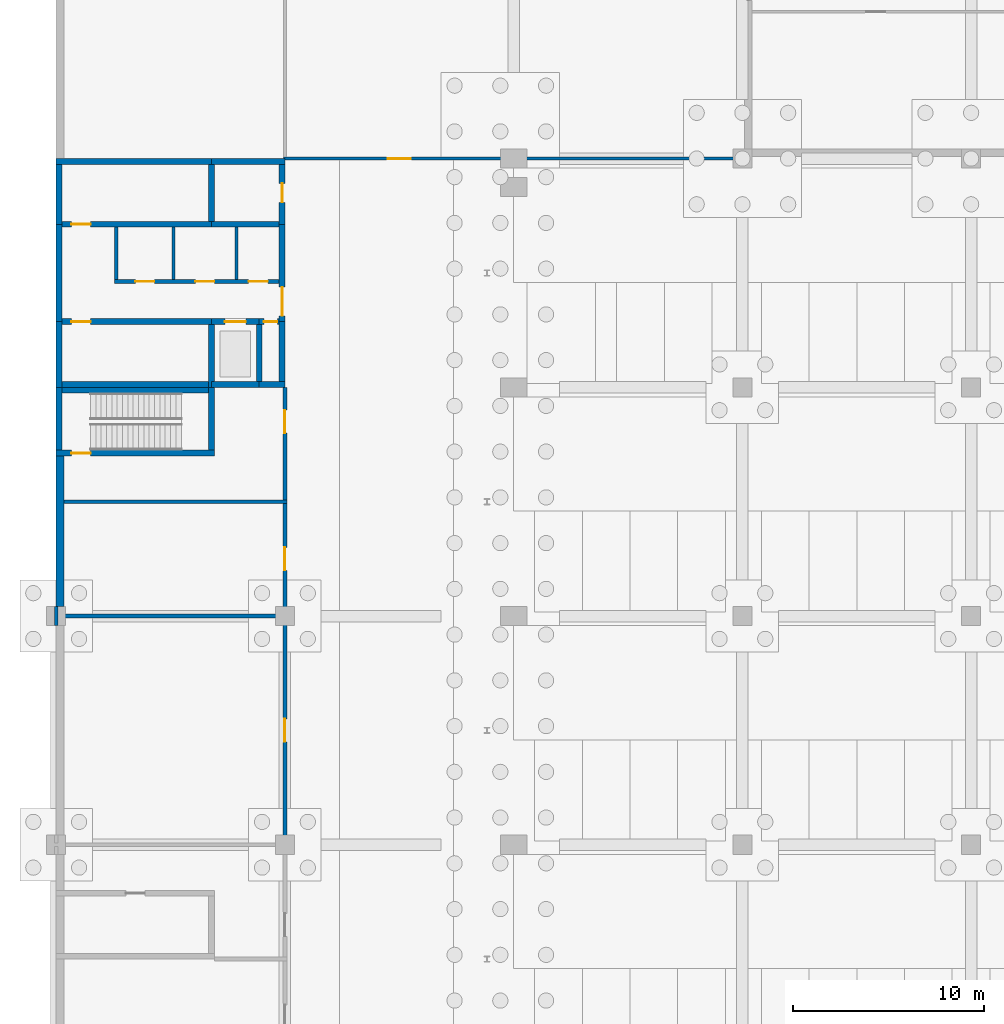
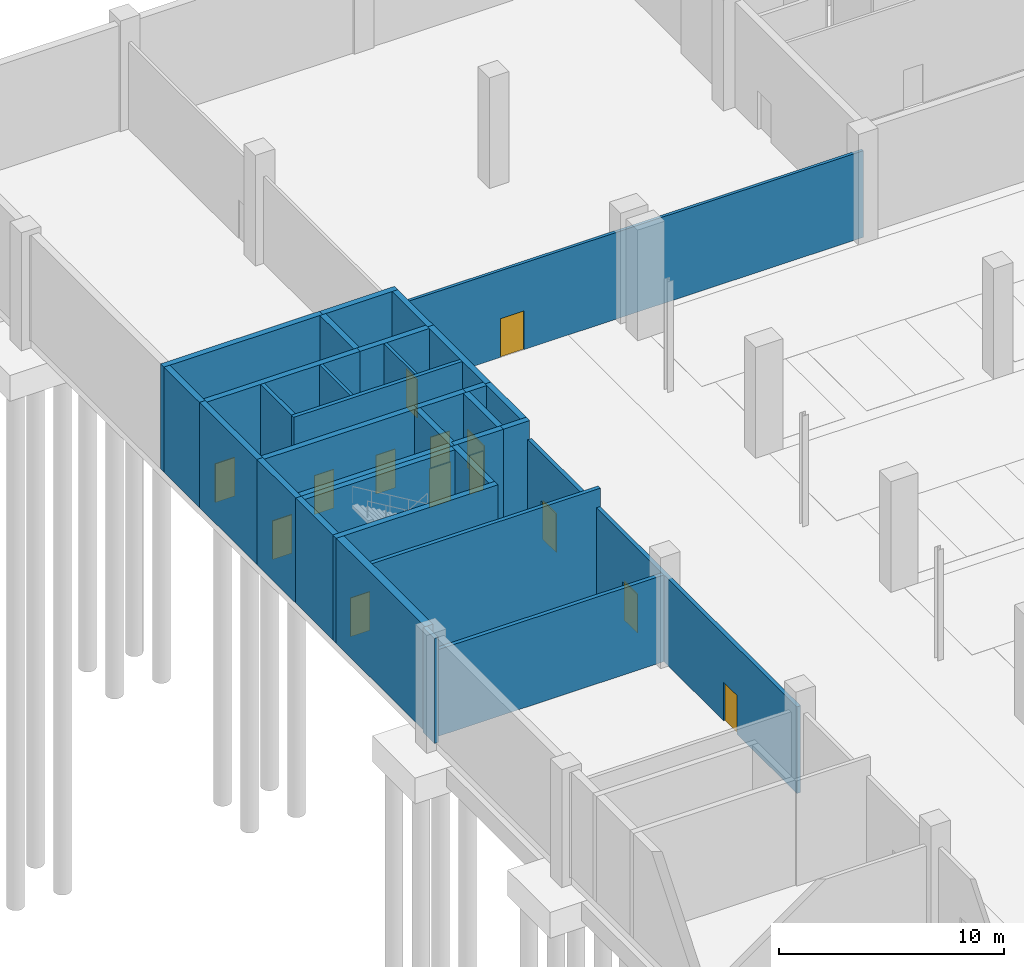
# One storey, part 23 of 34: 34 walls, 14 doors, 14 openings.
"""IFC4 building model written with IfcOpenShell, lengths in metres."""

from ifc_helpers import new_model, si_unit, direction, frame, frame_2d, origin, place, context, subcontext, project, spatial, rectangle, extrude, material, layer, layer_set, type_object, element, fill, save


model = new_model("IFC4")

# Units and contexts
model_context = context("Model", 3, precision=1e-05, world=origin(), true_north=direction((0.0, 1.0)))
body_context = subcontext(model_context, "Body", "Model", "MODEL_VIEW")
ifc_project = project(units=[si_unit("LENGTHUNIT", "METRE"), si_unit("AREAUNIT", "SQUARE_METRE"), si_unit("VOLUMEUNIT", "CUBIC_METRE"), si_unit("PLANEANGLEUNIT", "RADIAN"), si_unit("MASSUNIT", "GRAM", prefix="KILO")], contexts=[model_context])

# Site, building, storey
site_placement = place(None, origin())
site = spatial("IfcSite", under=ifc_project, at=site_placement, CompositionType="ELEMENT")
building_placement = place(site_placement, origin())
building = spatial("IfcBuilding", under=site, at=building_placement, Name="Lilac Gate Convention Centre", CompositionType="ELEMENT")
storey_placement = place(building_placement, frame((0.0, 0.0, -6.0)))
storey = spatial("IfcBuildingStorey", under=building, at=storey_placement, Name="B1", CompositionType="ELEMENT", Elevation=-6.0)

# Wall
ifc_material_1 = material(Name="Concrete C35", Category="concrete")
ifc_layer_1 = layer(ifc_material_1, 0.39990234375)
ifc_layer_set_1 = layer_set([ifc_layer_1], Name="Concrete C35")
wall_type_1 = type_object("IfcWallType", Name="Basement wall 400 C35", PredefinedType="SOLIDWALL", material=ifc_layer_set_1)
wall_1_placement = place(storey_placement, frame((6.199951171875, 198.5, 0.0), z_axis=(0.0, 0.0, 1.0), x_axis=(0.0, 1.0, 0.0)))
element("IfcWall", 1, at=wall_1_placement, inside=storey, type_object=wall_type_1, Name="SW2 basement wall 17 at 1/A", PredefinedType="SOLIDWALL", context=body_context, shape_type="SweptSolid", body=[
    extrude(rectangle(XDim=7.89990234375, YDim=0.39990234375, at=frame_2d((3.949951171875, 0.0))), origin(), (0.0, 0.0, 1.0), 5.699951171875),
])

# Wall, opening, door
ifc_material_2 = material(Name="Fire-rated gypsum board on steel stud", Category="steel")
ifc_layer_2 = layer(ifc_material_2, 0.14990234375)
ifc_layer_set_2 = layer_set([ifc_layer_2], Name="Fire-rated gypsum board on steel stud")
wall_type_2 = type_object("IfcWallType", Name="Partition 150 fire-rated gypsum board EI 60", PredefinedType="PARTITIONING", material=ifc_layer_set_2)
wall_2_placement = place(storey_placement, frame((17.925048828125, 222.0, 0.0), z_axis=(0.0, 0.0, 1.0), x_axis=(1.0, 0.0, 0.0)))
wall_2 = element("IfcWall", 2, at=wall_2_placement, inside=storey, type_object=wall_type_2, Name="Partition 150 fire-rated gypsum board EI 60", PredefinedType="PARTITIONING", context=body_context, shape_type="SweptSolid", body=[
    extrude(rectangle(XDim=24.074951171875, YDim=0.14990234375, at=frame_2d((12.03759765625, 0.0))), origin(), (0.0, 0.0, 1.0), 4.699951171875),
])
opening_1_placement = place(wall_2_placement, frame((5.47509765625, 0.0, 0.0)))
opening_1 = element("IfcOpeningElement", 3, at=opening_1_placement, cuts=wall_2, Name="Opening B1-096", PredefinedType="OPENING", context=body_context, shape_type="SweptSolid", body=[
    extrude(rectangle(XDim=1.199951171875, YDim=2.10009765625, at=frame_2d((0.60009765625, 1.050048828125))), frame((0.0, 0.0849609375, 0.0), z_axis=(0.0, -1.0, 0.0), x_axis=(1.0, 0.0, 0.0)), (0.0, 0.0, 1.0), 0.169921875),
])
ifc_material_3 = material(Name="Timber fire door leaf", Category="wood")
door_type_1 = type_object("IfcDoorType", Name="Door 1200 x 2100 single leaf FD30", OperationType="SINGLE_SWING_LEFT", PredefinedType="DOOR", material=ifc_material_3)
door_1_placement = place(opening_1_placement, origin())
door_1 = element("IfcDoor", 4, at=door_1_placement, inside=storey, type_object=door_type_1, Name="Canteen door B1-096", OperationType="SINGLE_SWING_RIGHT", OverallHeight=2.10009765625, OverallWidth=1.199951171875, PredefinedType="DOOR", context=body_context, shape_type="SweptSolid", body=[
    extrude(rectangle(XDim=1.199951171875, YDim=2.10009765625, at=frame_2d((0.60009765625, 1.050048828125))), frame((0.0, 0.02490234375, 0.0), z_axis=(0.0, -1.0, 0.0), x_axis=(1.0, 0.0, 0.0)), (0.0, 0.0, 1.0), 0.050048828125),
])
fill(opening_1, door_1)

# Walls
for number, where, z_axis, x_axis, name in (
    (5, (12.14990234375, 215.64990234375, 0.0), (0.0, 0.0, 1.0), (0.0, 1.0, 0.0), "Partition 150 fire-rated gypsum board EI 60"),
    (6, (15.449951171875, 215.64990234375, 0.0), (0.0, 0.0, 1.0), (0.0, 1.0, 0.0), "Partition 150 fire-rated gypsum board EI 60"),
):
    element("IfcWall", number, at=place(storey_placement, frame(where, z_axis=z_axis, x_axis=x_axis)), inside=storey, type_object=wall_type_2, Name=name, PredefinedType="PARTITIONING", context=body_context, shape_type="SweptSolid", body=[
        extrude(rectangle(XDim=2.75, YDim=0.14990234375, at=frame_2d((1.375, 0.0))), origin(), (0.0, 0.0, 1.0), 5.699951171875),
    ])
ifc_material_4 = material(Name="Clay brick masonry", Category="masonry")
ifc_layer_3 = layer(ifc_material_4, 0.199951171875)
ifc_layer_set_3 = layer_set([ifc_layer_3], Name="Clay brick masonry")
wall_type_3 = type_object("IfcWallType", Name="Partition 200 brick EI 120", PredefinedType="PARTITIONING", material=ifc_layer_set_3)
wall_3_placement = place(storey_placement, frame((6.10009765625, 198.0, 0.0), z_axis=(0.0, 0.0, 1.0), x_axis=(1.0, 0.0, 0.0)))
element("IfcWall", 7, at=wall_3_placement, inside=storey, type_object=wall_type_3, Name="Partition 200 brick EI 120", PredefinedType="PARTITIONING", context=body_context, shape_type="SweptSolid", body=[
    extrude(rectangle(XDim=11.7998046875, YDim=0.199951171875, at=frame_2d((5.89990234375, 0.0))), origin(), (0.0, 0.0, 1.0), 4.699951171875),
])
wall_4_placement = place(storey_placement, frame((6.39990234375, 204.0, 0.0), z_axis=(0.0, 0.0, 1.0), x_axis=(1.0, 0.0, 0.0)))
element("IfcWall", 8, at=wall_4_placement, inside=storey, type_object=wall_type_3, Name="Partition 200 brick EI 120", PredefinedType="PARTITIONING", context=body_context, shape_type="SweptSolid", body=[
    extrude(rectangle(XDim=11.7001953125, YDim=0.199951171875, at=frame_2d((5.85009765625, 0.0))), origin(), (0.0, 0.0, 1.0), 5.699951171875),
])
wall_5_placement = place(storey_placement, frame((6.0, 197.5, 0.0), z_axis=(0.0, 0.0, 1.0), x_axis=(0.0, 1.0, 0.0)))
element("IfcWall", 9, at=wall_5_placement, inside=storey, type_object=wall_type_3, Name="Partition 200 brick EI 120", PredefinedType="PARTITIONING", context=body_context, shape_type="SweptSolid", body=[
    extrude(rectangle(XDim=1.0, YDim=0.199951171875, at=frame_2d((0.5, 0.0))), origin(), (0.0, 0.0, 1.0), 5.699951171875),
])

# Wall, openings, doors
wall_6_placement = place(storey_placement, frame((18.0, 186.10009765625, 0.0), z_axis=(0.0, 0.0, 1.0), x_axis=(0.0, 1.0, 0.0)))
wall_6 = element("IfcWall", 10, at=wall_6_placement, inside=storey, type_object=wall_type_3, Name="Partition 200 brick EI 120", PredefinedType="PARTITIONING", context=body_context, shape_type="SweptSolid", body=[
    extrude(rectangle(XDim=17.7998046875, YDim=0.199951171875, at=frame_2d((8.89990234375, 0.0))), origin(), (0.0, 0.0, 1.0), 4.699951171875),
])
opening_2_placement = place(wall_6_placement, frame((5.300048828125, 0.0, 0.0)))
opening_2 = element("IfcOpeningElement", 11, at=opening_2_placement, cuts=wall_6, Name="Opening B1-070", PredefinedType="OPENING", context=body_context, shape_type="SweptSolid", body=[
    extrude(rectangle(XDim=1.199951171875, YDim=2.10009765625, at=frame_2d((0.60009765625, 1.050048828125))), frame((0.0, 0.10986328125, 0.0), z_axis=(0.0, -1.0, 0.0), x_axis=(1.0, 0.0, 0.0)), (0.0, 0.0, 1.0), 0.219970703125),
])
opening_3_placement = place(wall_6_placement, frame((14.300048828125, 0.0, 0.0)))
opening_3 = element("IfcOpeningElement", 12, at=opening_3_placement, cuts=wall_6, Name="Opening B1-074", PredefinedType="OPENING", context=body_context, shape_type="SweptSolid", body=[
    extrude(rectangle(XDim=1.199951171875, YDim=2.10009765625, at=frame_2d((0.60009765625, 1.050048828125))), frame((0.0, 0.10986328125, 0.0), z_axis=(0.0, -1.0, 0.0), x_axis=(1.0, 0.0, 0.0)), (0.0, 0.0, 1.0), 0.219970703125),
])
door_2_placement = place(opening_3_placement, origin())
door_2 = element("IfcDoor", 13, at=door_2_placement, inside=storey, type_object=door_type_1, Name="Plant room door B1-074", OperationType="SINGLE_SWING_LEFT", OverallHeight=2.10009765625, OverallWidth=1.199951171875, PredefinedType="DOOR", context=body_context, shape_type="SweptSolid", body=[
    extrude(rectangle(XDim=1.199951171875, YDim=2.10009765625, at=frame_2d((0.60009765625, 1.050048828125))), frame((0.0, 0.02490234375, 0.0), z_axis=(0.0, -1.0, 0.0), x_axis=(1.0, 0.0, 0.0)), (0.0, 0.0, 1.0), 0.050048828125),
])
fill(opening_3, door_2)
ifc_material_5 = material(Name="Steel Q235B", Category="steel")
door_type_2 = type_object("IfcDoorType", Name="Door 1200 x 2100 single leaf FD90", OperationType="SINGLE_SWING_LEFT", PredefinedType="DOOR", material=ifc_material_5)
door_3_placement = place(opening_2_placement, origin())
door_3 = element("IfcDoor", 14, at=door_3_placement, inside=storey, type_object=door_type_2, Name="Plant room door B1-070", OperationType="SINGLE_SWING_LEFT", OverallHeight=2.10009765625, OverallWidth=1.199951171875, PredefinedType="DOOR", context=body_context, shape_type="SweptSolid", body=[
    extrude(rectangle(XDim=1.199951171875, YDim=2.10009765625, at=frame_2d((0.60009765625, 1.050048828125))), frame((0.0, 0.02490234375, 0.0), z_axis=(0.0, -1.0, 0.0), x_axis=(1.0, 0.0, 0.0)), (0.0, 0.0, 1.0), 0.050048828125),
])
fill(opening_2, door_3)

ifc_layer_4 = layer(ifc_material_4, 0.199951171875)
ifc_layer_set_4 = layer_set([ifc_layer_4], Name="Clay brick masonry")
wall_type_4 = type_object("IfcWallType", Name="Partition 200 brick EI 60", PredefinedType="PARTITIONING", material=ifc_layer_set_4)
wall_7_placement = place(storey_placement, frame((9.050048828125, 215.550048828125, 0.0), z_axis=(0.0, 0.0, 1.0), x_axis=(1.0, 0.0, 0.0)))
wall_7 = element("IfcWall", 15, at=wall_7_placement, inside=storey, type_object=wall_type_4, Name="Partition 200 brick EI 60", PredefinedType="PARTITIONING", context=body_context, shape_type="SweptSolid", body=[
    extrude(rectangle(XDim=8.64990234375, YDim=0.199951171875, at=frame_2d((4.324951171875, 0.0))), origin(), (0.0, 0.0, 1.0), 5.699951171875),
])
opening_4_placement = place(wall_7_placement, frame((1.10009765625, 0.0, 0.0)))
opening_4 = element("IfcOpeningElement", 16, at=opening_4_placement, cuts=wall_7, Name="Opening B1-086", PredefinedType="OPENING", context=body_context, shape_type="SweptSolid", body=[
    extrude(rectangle(XDim=1.0, YDim=2.10009765625, at=frame_2d((0.5, 1.050048828125))), frame((0.0, 0.10986328125, 0.0), z_axis=(0.0, -1.0, 0.0), x_axis=(1.0, 0.0, 0.0)), (0.0, 0.0, 1.0), 0.219970703125),
])
opening_5_placement = place(wall_7_placement, frame((4.25, 0.0, 0.0)))
opening_5 = element("IfcOpeningElement", 17, at=opening_5_placement, cuts=wall_7, Name="Opening B1-087", PredefinedType="OPENING", context=body_context, shape_type="SweptSolid", body=[
    extrude(rectangle(XDim=1.0, YDim=2.10009765625, at=frame_2d((0.5, 1.050048828125))), frame((0.0, 0.10986328125, 0.0), z_axis=(0.0, -1.0, 0.0), x_axis=(1.0, 0.0, 0.0)), (0.0, 0.0, 1.0), 0.219970703125),
])
opening_6_placement = place(wall_7_placement, frame((7.050048828125, 0.0, 0.0)))
opening_6 = element("IfcOpeningElement", 18, at=opening_6_placement, cuts=wall_7, Name="Opening B1-088", PredefinedType="OPENING", context=body_context, shape_type="SweptSolid", body=[
    extrude(rectangle(XDim=1.0, YDim=2.10009765625, at=frame_2d((0.5, 1.050048828125))), frame((0.0, 0.10986328125, 0.0), z_axis=(0.0, -1.0, 0.0), x_axis=(1.0, 0.0, 0.0)), (0.0, 0.0, 1.0), 0.219970703125),
])
door_type_3 = type_object("IfcDoorType", Name="Door 1000 x 2100 single leaf FD30", OperationType="SINGLE_SWING_LEFT", PredefinedType="DOOR", material=ifc_material_3)
door_4_placement = place(opening_4_placement, origin())
door_4 = element("IfcDoor", 19, at=door_4_placement, inside=storey, type_object=door_type_3, Name="WC door B1-086", OperationType="SINGLE_SWING_RIGHT", OverallHeight=2.10009765625, OverallWidth=1.0, PredefinedType="DOOR", context=body_context, shape_type="SweptSolid", body=[
    extrude(rectangle(XDim=1.0, YDim=2.10009765625, at=frame_2d((0.5, 1.050048828125))), frame((0.0, 0.02490234375, 0.0), z_axis=(0.0, -1.0, 0.0), x_axis=(1.0, 0.0, 0.0)), (0.0, 0.0, 1.0), 0.050048828125),
])
fill(opening_4, door_4)
door_5_placement = place(opening_5_placement, origin())
door_5 = element("IfcDoor", 20, at=door_5_placement, inside=storey, type_object=door_type_3, Name="WC door B1-087", OperationType="SINGLE_SWING_LEFT", OverallHeight=2.10009765625, OverallWidth=1.0, PredefinedType="DOOR", context=body_context, shape_type="SweptSolid", body=[
    extrude(rectangle(XDim=1.0, YDim=2.10009765625, at=frame_2d((0.5, 1.050048828125))), frame((0.0, 0.02490234375, 0.0), z_axis=(0.0, -1.0, 0.0), x_axis=(1.0, 0.0, 0.0)), (0.0, 0.0, 1.0), 0.050048828125),
])
fill(opening_5, door_5)
door_6_placement = place(opening_6_placement, origin())
door_6 = element("IfcDoor", 21, at=door_6_placement, inside=storey, type_object=door_type_3, Name="Accessible WC door B1-088", OperationType="SINGLE_SWING_LEFT", OverallHeight=2.10009765625, OverallWidth=1.0, PredefinedType="DOOR", context=body_context, shape_type="SweptSolid", body=[
    extrude(rectangle(XDim=1.0, YDim=2.10009765625, at=frame_2d((0.5, 1.050048828125))), frame((0.0, 0.02490234375, 0.0), z_axis=(0.0, -1.0, 0.0), x_axis=(1.0, 0.0, 0.0)), (0.0, 0.0, 1.0), 0.050048828125),
])
fill(opening_6, door_6)

# Wall
wall_8_placement = place(storey_placement, frame((9.14990234375, 215.64990234375, 0.0), z_axis=(0.0, 0.0, 1.0), x_axis=(0.0, 1.0, 0.0)))
element("IfcWall", 22, at=wall_8_placement, inside=storey, type_object=wall_type_4, Name="Partition 200 brick EI 60", PredefinedType="PARTITIONING", context=body_context, shape_type="SweptSolid", body=[
    extrude(rectangle(XDim=2.75, YDim=0.199951171875, at=frame_2d((1.375, 0.0))), origin(), (0.0, 0.0, 1.0), 5.699951171875),
])

# Wall, opening, door
wall_9_placement = place(storey_placement, frame((18.0, 204.10009765625, 0.0), z_axis=(0.0, 0.0, 1.0), x_axis=(0.0, 1.0, 0.0)))
wall_9 = element("IfcWall", 23, at=wall_9_placement, inside=storey, type_object=wall_type_4, Name="Partition 200 brick EI 60", PredefinedType="PARTITIONING", context=body_context, shape_type="SweptSolid", body=[
    extrude(rectangle(XDim=5.89990234375, YDim=0.199951171875, at=frame_2d((2.949951171875, 0.0))), origin(), (0.0, 0.0, 1.0), 4.699951171875),
])
opening_7_placement = place(wall_9_placement, frame((3.5, 0.0, 0.0)))
opening_7 = element("IfcOpeningElement", 24, at=opening_7_placement, cuts=wall_9, Name="Opening B1-078", PredefinedType="OPENING", context=body_context, shape_type="SweptSolid", body=[
    extrude(rectangle(XDim=1.199951171875, YDim=2.10009765625, at=frame_2d((0.60009765625, 1.050048828125))), frame((0.0, 0.10986328125, 0.0), z_axis=(0.0, -1.0, 0.0), x_axis=(1.0, 0.0, 0.0)), (0.0, 0.0, 1.0), 0.219970703125),
])
door_type_4 = type_object("IfcDoorType", Name="Door 1200 x 2100 single leaf FD60", OperationType="SINGLE_SWING_LEFT", PredefinedType="DOOR", material=ifc_material_3)
door_7_placement = place(opening_7_placement, origin())
door_7 = element("IfcDoor", 25, at=door_7_placement, inside=storey, type_object=door_type_4, Name="Lobby door B1-078", OperationType="SINGLE_SWING_LEFT", OverallHeight=2.10009765625, OverallWidth=1.199951171875, PredefinedType="DOOR", context=body_context, shape_type="SweptSolid", body=[
    extrude(rectangle(XDim=1.199951171875, YDim=2.10009765625, at=frame_2d((0.60009765625, 1.050048828125))), frame((0.0, 0.02490234375, 0.0), z_axis=(0.0, -1.0, 0.0), x_axis=(1.0, 0.0, 0.0)), (0.0, 0.0, 1.0), 0.050048828125),
])
fill(opening_7, door_7)

ifc_material_6 = material(Name="Concrete C40", Category="concrete")
ifc_layer_5 = layer(ifc_material_6, 0.300048828125)
ifc_layer_set_5 = layer_set([ifc_layer_5], Name="Concrete C40")
wall_type_5 = type_object("IfcWallType", Name="Shear wall 300 C40", PredefinedType="SHEAR", material=ifc_layer_set_5)
wall_10_placement = place(storey_placement, frame((6.0, 206.550048828125, 0.0), z_axis=(0.0, 0.0, 1.0), x_axis=(1.0, 0.0, 0.0)))
wall_10 = element("IfcWall", 26, at=wall_10_placement, inside=storey, type_object=wall_type_5, Name="SW1 shear wall BW4 B1 1", PredefinedType="SHEAR", context=body_context, shape_type="SweptSolid", body=[
    extrude(rectangle(XDim=8.300048828125, YDim=0.300048828125, at=frame_2d((4.14990234375, 0.0))), origin(), (0.0, 0.0, 1.0), 5.699951171875),
])
opening_8_placement = place(wall_10_placement, frame((0.800048828125, 0.0, 0.0)))
opening_8 = element("IfcOpeningElement", 27, at=opening_8_placement, cuts=wall_10, Name="Opening B1-076", PredefinedType="OPENING", context=body_context, shape_type="SweptSolid", body=[
    extrude(rectangle(XDim=1.0, YDim=2.10009765625, at=frame_2d((0.5, 1.050048828125))), frame((0.0, 0.159912109375, 0.0), z_axis=(0.0, -1.0, 0.0), x_axis=(1.0, 0.0, 0.0)), (0.0, 0.0, 1.0), 0.320068359375),
])
door_type_5 = type_object("IfcDoorType", Name="Door 1000 x 2100 single leaf FD60", OperationType="SINGLE_SWING_LEFT", PredefinedType="DOOR", material=ifc_material_3)
door_8_placement = place(opening_8_placement, origin())
door_8 = element("IfcDoor", 28, at=door_8_placement, inside=storey, type_object=door_type_5, Name="Stair door B1-076", OperationType="SINGLE_SWING_RIGHT", OverallHeight=2.10009765625, OverallWidth=1.0, PredefinedType="DOOR", context=body_context, shape_type="SweptSolid", body=[
    extrude(rectangle(XDim=1.0, YDim=2.10009765625, at=frame_2d((0.5, 1.050048828125))), frame((0.0, 0.02490234375, 0.0), z_axis=(0.0, -1.0, 0.0), x_axis=(1.0, 0.0, 0.0)), (0.0, 0.0, 1.0), 0.050048828125),
])
fill(opening_8, door_8)

# Walls
wall_11_placement = place(storey_placement, frame((6.0, 209.85009765625, 0.0), z_axis=(0.0, 0.0, 1.0), x_axis=(1.0, 0.0, 0.0)))
element("IfcWall", 29, at=wall_11_placement, inside=storey, type_object=wall_type_5, Name="SW1 shear wall BW4 B1 2", PredefinedType="SHEAR", context=body_context, shape_type="SweptSolid", body=[
    extrude(rectangle(XDim=8.300048828125, YDim=0.300048828125, at=frame_2d((4.14990234375, 0.0))), origin(), (0.0, 0.0, 1.0), 5.699951171875),
])
for number, where, z_axis, x_axis, name in (
    (30, (6.14990234375, 206.699951171875, 0.0), (0.0, 0.0, 1.0), (0.0, 1.0, 0.0), "SW1 shear wall BW4 B1 3"),
    (31, (14.14990234375, 206.699951171875, 0.0), (0.0, 0.0, 1.0), (0.0, 1.0, 0.0), "SW1 shear wall BW4 B1 4"),
):
    element("IfcWall", number, at=place(storey_placement, frame(where, z_axis=z_axis, x_axis=x_axis)), inside=storey, type_object=wall_type_5, Name=name, PredefinedType="SHEAR", context=body_context, shape_type="SweptSolid", body=[
        extrude(rectangle(XDim=3.300048828125, YDim=0.300048828125, at=frame_2d((1.64990234375, 0.0))), origin(), (0.0, 0.0, 1.0), 5.699951171875),
    ])
wall_12_placement = place(storey_placement, frame((6.0, 210.14990234375, 0.0), z_axis=(0.0, 0.0, 1.0), x_axis=(1.0, 0.0, 0.0)))
element("IfcWall", 32, at=wall_12_placement, inside=storey, type_object=wall_type_5, Name="SW1 shear wall W4 B1 1", PredefinedType="SHEAR", context=body_context, shape_type="SweptSolid", body=[
    extrude(rectangle(XDim=8.14990234375, YDim=0.300048828125, at=frame_2d((4.074951171875, 0.0))), origin(), (0.0, 0.0, 1.0), 5.699951171875),
])
wall_13_placement = place(storey_placement, frame((14.14990234375, 210.14990234375, 0.0), z_axis=(0.0, 0.0, 1.0), x_axis=(1.0, 0.0, 0.0)))
element("IfcWall", 33, at=wall_13_placement, inside=storey, type_object=wall_type_5, Name="SW1 shear wall W4 B1 2", PredefinedType="SHEAR", context=body_context, shape_type="SweptSolid", body=[
    extrude(rectangle(XDim=2.5, YDim=0.300048828125, at=frame_2d((1.25, 0.0))), origin(), (0.0, 0.0, 1.0), 5.699951171875),
])
wall_14_placement = place(storey_placement, frame((16.64990234375, 210.14990234375, 0.0), z_axis=(0.0, 0.0, 1.0), x_axis=(1.0, 0.0, 0.0)))
element("IfcWall", 34, at=wall_14_placement, inside=storey, type_object=wall_type_5, Name="SW1 shear wall W4 B1 3", PredefinedType="SHEAR", context=body_context, shape_type="SweptSolid", body=[
    extrude(rectangle(XDim=1.35009765625, YDim=0.300048828125, at=frame_2d((0.675048828125, 0.0))), origin(), (0.0, 0.0, 1.0), 5.699951171875),
])
wall_15_placement = place(storey_placement, frame((6.0, 221.85009765625, 0.0), z_axis=(0.0, 0.0, 1.0), x_axis=(1.0, 0.0, 0.0)))
element("IfcWall", 35, at=wall_15_placement, inside=storey, type_object=wall_type_5, Name="SW1 shear wall W4 B1 4", PredefinedType="SHEAR", context=body_context, shape_type="SweptSolid", body=[
    extrude(rectangle(XDim=8.14990234375, YDim=0.300048828125, at=frame_2d((4.074951171875, 0.0))), origin(), (0.0, 0.0, 1.0), 5.699951171875),
])
wall_16_placement = place(storey_placement, frame((14.14990234375, 221.85009765625, 0.0), z_axis=(0.0, 0.0, 1.0), x_axis=(1.0, 0.0, 0.0)))
element("IfcWall", 36, at=wall_16_placement, inside=storey, type_object=wall_type_5, Name="SW1 shear wall W4 B1 5", PredefinedType="SHEAR", context=body_context, shape_type="SweptSolid", body=[
    extrude(rectangle(XDim=3.85009765625, YDim=0.300048828125, at=frame_2d((1.925048828125, 0.0))), origin(), (0.0, 0.0, 1.0), 5.699951171875),
])

# Wall, opening, door
wall_17_placement = place(storey_placement, frame((6.0, 213.449951171875, 0.0), z_axis=(0.0, 0.0, 1.0), x_axis=(1.0, 0.0, 0.0)))
wall_17 = element("IfcWall", 37, at=wall_17_placement, inside=storey, type_object=wall_type_5, Name="SW1 shear wall W4 B1 6", PredefinedType="SHEAR", context=body_context, shape_type="SweptSolid", body=[
    extrude(rectangle(XDim=8.14990234375, YDim=0.300048828125, at=frame_2d((4.074951171875, 0.0))), origin(), (0.0, 0.0, 1.0), 5.699951171875),
])
opening_9_placement = place(wall_17_placement, frame((0.800048828125, 0.0, 0.0)))
opening_9 = element("IfcOpeningElement", 38, at=opening_9_placement, cuts=wall_17, Name="Opening B1-080", PredefinedType="OPENING", context=body_context, shape_type="SweptSolid", body=[
    extrude(rectangle(XDim=1.0, YDim=2.10009765625, at=frame_2d((0.5, 1.050048828125))), frame((0.0, 0.159912109375, 0.0), z_axis=(0.0, -1.0, 0.0), x_axis=(1.0, 0.0, 0.0)), (0.0, 0.0, 1.0), 0.320068359375),
])
door_9_placement = place(opening_9_placement, frame((1.0, 0.0, 0.0), z_axis=(0.0, 0.0, 1.0), x_axis=(-1.0, 0.0, 0.0)))
door_9 = element("IfcDoor", 39, at=door_9_placement, inside=storey, type_object=door_type_5, Name="Store door B1-080", OperationType="SINGLE_SWING_LEFT", OverallHeight=2.10009765625, OverallWidth=1.0, PredefinedType="DOOR", context=body_context, shape_type="SweptSolid", body=[
    extrude(rectangle(XDim=1.0, YDim=2.10009765625, at=frame_2d((0.5, 1.050048828125))), frame((0.0, 0.02490234375, 0.0), z_axis=(0.0, -1.0, 0.0), x_axis=(1.0, 0.0, 0.0)), (0.0, 0.0, 1.0), 0.050048828125),
])
fill(opening_9, door_9)

wall_18_placement = place(storey_placement, frame((14.14990234375, 213.449951171875, 0.0), z_axis=(0.0, 0.0, 1.0), x_axis=(1.0, 0.0, 0.0)))
wall_18 = element("IfcWall", 40, at=wall_18_placement, inside=storey, type_object=wall_type_5, Name="SW1 shear wall W4 B1 7", PredefinedType="SHEAR", context=body_context, shape_type="SweptSolid", body=[
    extrude(rectangle(XDim=2.5, YDim=0.300048828125, at=frame_2d((1.25, 0.0))), origin(), (0.0, 0.0, 1.0), 5.699951171875),
])
opening_10_placement = place(wall_18_placement, frame((0.699951171875, 0.0, 0.0)))
opening_10 = element("IfcOpeningElement", 41, at=opening_10_placement, cuts=wall_18, Name="Opening LDW4-B1", PredefinedType="OPENING", context=body_context, shape_type="SweptSolid", body=[
    extrude(rectangle(XDim=1.10009765625, YDim=2.10009765625, at=frame_2d((0.550048828125, 1.050048828125))), frame((0.0, 0.159912109375, 0.0), z_axis=(0.0, -1.0, 0.0), x_axis=(1.0, 0.0, 0.0)), (0.0, 0.0, 1.0), 0.320068359375),
])
ifc_material_7 = material(Name="Stainless steel 304", Category="steel")
door_type_6 = type_object("IfcDoorType", Name="Lift landing door 1100 x 2100", OperationType="SLIDING_TO_LEFT", PredefinedType="DOOR", material=ifc_material_7)
door_10_placement = place(opening_10_placement, origin())
door_10 = element("IfcDoor", 42, at=door_10_placement, inside=storey, type_object=door_type_6, Name="Lift landing door LDW4-B1", OperationType="SLIDING_TO_LEFT", OverallHeight=2.10009765625, OverallWidth=1.10009765625, PredefinedType="DOOR", context=body_context, shape_type="SweptSolid", body=[
    extrude(rectangle(XDim=1.10009765625, YDim=2.10009765625, at=frame_2d((0.550048828125, 1.050048828125))), frame((0.0, 0.02490234375, 0.0), z_axis=(0.0, -1.0, 0.0), x_axis=(1.0, 0.0, 0.0)), (0.0, 0.0, 1.0), 0.050048828125),
])
fill(opening_10, door_10)

wall_19_placement = place(storey_placement, frame((16.64990234375, 213.449951171875, 0.0), z_axis=(0.0, 0.0, 1.0), x_axis=(1.0, 0.0, 0.0)))
wall_19 = element("IfcWall", 43, at=wall_19_placement, inside=storey, type_object=wall_type_5, Name="SW1 shear wall W4 B1 8", PredefinedType="SHEAR", context=body_context, shape_type="SweptSolid", body=[
    extrude(rectangle(XDim=1.050048828125, YDim=0.300048828125, at=frame_2d((0.52490234375, 0.0))), origin(), (0.0, 0.0, 1.0), 5.699951171875),
])
opening_11_placement = place(wall_19_placement, frame((0.25, 0.0, 0.0)))
opening_11 = element("IfcOpeningElement", 44, at=opening_11_placement, cuts=wall_19, Name="Opening B1-081", PredefinedType="OPENING", context=body_context, shape_type="SweptSolid", body=[
    extrude(rectangle(XDim=0.699951171875, YDim=2.10009765625, at=frame_2d((0.35009765625, 1.050048828125))), frame((0.0, 0.159912109375, 0.0), z_axis=(0.0, -1.0, 0.0), x_axis=(1.0, 0.0, 0.0)), (0.0, 0.0, 1.0), 0.320068359375),
])
door_type_7 = type_object("IfcDoorType", Name="Door 700 x 2100 single leaf FD30", OperationType="SINGLE_SWING_LEFT", PredefinedType="DOOR", material=ifc_material_3)
door_11_placement = place(opening_11_placement, frame((0.699951171875, 0.0, 0.0), z_axis=(0.0, 0.0, 1.0), x_axis=(-1.0, 0.0, 0.0)))
door_11 = element("IfcDoor", 45, at=door_11_placement, inside=storey, type_object=door_type_7, Name="Riser access door B1-081", OperationType="SINGLE_SWING_LEFT", OverallHeight=2.10009765625, OverallWidth=0.699951171875, PredefinedType="DOOR", context=body_context, shape_type="SweptSolid", body=[
    extrude(rectangle(XDim=0.699951171875, YDim=2.10009765625, at=frame_2d((0.35009765625, 1.050048828125))), frame((0.0, 0.02490234375, 0.0), z_axis=(0.0, -1.0, 0.0), x_axis=(1.0, 0.0, 0.0)), (0.0, 0.0, 1.0), 0.050048828125),
])
fill(opening_11, door_11)

wall_20_placement = place(storey_placement, frame((6.0, 218.550048828125, 0.0), z_axis=(0.0, 0.0, 1.0), x_axis=(1.0, 0.0, 0.0)))
wall_20 = element("IfcWall", 46, at=wall_20_placement, inside=storey, type_object=wall_type_5, Name="SW1 shear wall W4 B1 9", PredefinedType="SHEAR", context=body_context, shape_type="SweptSolid", body=[
    extrude(rectangle(XDim=8.14990234375, YDim=0.300048828125, at=frame_2d((4.074951171875, 0.0))), origin(), (0.0, 0.0, 1.0), 5.699951171875),
])
opening_12_placement = place(wall_20_placement, frame((0.800048828125, 0.0, 0.0)))
opening_12 = element("IfcOpeningElement", 47, at=opening_12_placement, cuts=wall_20, Name="Opening B1-092", PredefinedType="OPENING", context=body_context, shape_type="SweptSolid", body=[
    extrude(rectangle(XDim=1.0, YDim=2.10009765625, at=frame_2d((0.5, 1.050048828125))), frame((0.0, 0.159912109375, 0.0), z_axis=(0.0, -1.0, 0.0), x_axis=(1.0, 0.0, 0.0)), (0.0, 0.0, 1.0), 0.320068359375),
])
door_12_placement = place(opening_12_placement, origin())
door_12 = element("IfcDoor", 48, at=door_12_placement, inside=storey, type_object=door_type_5, Name="Store door B1-092", OperationType="SINGLE_SWING_RIGHT", OverallHeight=2.10009765625, OverallWidth=1.0, PredefinedType="DOOR", context=body_context, shape_type="SweptSolid", body=[
    extrude(rectangle(XDim=1.0, YDim=2.10009765625, at=frame_2d((0.5, 1.050048828125))), frame((0.0, 0.02490234375, 0.0), z_axis=(0.0, -1.0, 0.0), x_axis=(1.0, 0.0, 0.0)), (0.0, 0.0, 1.0), 0.050048828125),
])
fill(opening_12, door_12)

# Walls
wall_21_placement = place(storey_placement, frame((14.14990234375, 218.550048828125, 0.0), z_axis=(0.0, 0.0, 1.0), x_axis=(1.0, 0.0, 0.0)))
element("IfcWall", 49, at=wall_21_placement, inside=storey, type_object=wall_type_5, Name="SW1 shear wall W4 B1 10", PredefinedType="SHEAR", context=body_context, shape_type="SweptSolid", body=[
    extrude(rectangle(XDim=3.550048828125, YDim=0.300048828125, at=frame_2d((1.77490234375, 0.0))), origin(), (0.0, 0.0, 1.0), 5.699951171875),
])
wall_22_placement = place(storey_placement, frame((6.14990234375, 210.0, 0.0), z_axis=(0.0, 0.0, 1.0), x_axis=(0.0, 1.0, 0.0)))
element("IfcWall", 50, at=wall_22_placement, inside=storey, type_object=wall_type_5, Name="SW1 shear wall W4 B1 11", PredefinedType="SHEAR", context=body_context, shape_type="SweptSolid", body=[
    extrude(rectangle(XDim=3.449951171875, YDim=0.300048828125, at=frame_2d((1.72509765625, 0.0))), origin(), (0.0, 0.0, 1.0), 5.699951171875),
])
wall_23_placement = place(storey_placement, frame((6.14990234375, 213.449951171875, 0.0), z_axis=(0.0, 0.0, 1.0), x_axis=(0.0, 1.0, 0.0)))
element("IfcWall", 51, at=wall_23_placement, inside=storey, type_object=wall_type_5, Name="SW1 shear wall W4 B1 12", PredefinedType="SHEAR", context=body_context, shape_type="SweptSolid", body=[
    extrude(rectangle(XDim=5.10009765625, YDim=0.300048828125, at=frame_2d((2.550048828125, 0.0))), origin(), (0.0, 0.0, 1.0), 5.699951171875),
])
for number, where, z_axis, x_axis, name in (
    (52, (6.14990234375, 218.550048828125, 0.0), (0.0, 0.0, 1.0), (0.0, 1.0, 0.0), "SW1 shear wall W4 B1 13"),
    (53, (17.85009765625, 210.300048828125, 0.0), (0.0, 0.0, 1.0), (0.0, 1.0, 0.0), "SW1 shear wall W4 B1 14"),
):
    element("IfcWall", number, at=place(storey_placement, frame(where, z_axis=z_axis, x_axis=x_axis)), inside=storey, type_object=wall_type_5, Name=name, PredefinedType="SHEAR", context=body_context, shape_type="SweptSolid", body=[
        extrude(rectangle(XDim=3.14990234375, YDim=0.300048828125, at=frame_2d((1.574951171875, 0.0))), origin(), (0.0, 0.0, 1.0), 5.699951171875),
    ])

# Wall, opening, door
wall_24_placement = place(storey_placement, frame((17.85009765625, 213.449951171875, 0.0), z_axis=(0.0, 0.0, 1.0), x_axis=(0.0, 1.0, 0.0)))
wall_24 = element("IfcWall", 54, at=wall_24_placement, inside=storey, type_object=wall_type_5, Name="SW1 shear wall W4 B1 15", PredefinedType="SHEAR", context=body_context, shape_type="SweptSolid", body=[
    extrude(rectangle(XDim=5.10009765625, YDim=0.300048828125, at=frame_2d((2.550048828125, 0.0))), origin(), (0.0, 0.0, 1.0), 5.699951171875),
])
opening_13_placement = place(wall_24_placement, frame((0.300048828125, 0.0, 0.0)))
opening_13 = element("IfcOpeningElement", 55, at=opening_13_placement, cuts=wall_24, Name="Opening B1-084", PredefinedType="OPENING", context=body_context, shape_type="SweptSolid", body=[
    extrude(rectangle(XDim=1.5, YDim=2.10009765625, at=frame_2d((0.75, 1.050048828125))), frame((0.0, 0.159912109375, 0.0), z_axis=(0.0, -1.0, 0.0), x_axis=(1.0, 0.0, 0.0)), (0.0, 0.0, 1.0), 0.320068359375),
])
door_type_8 = type_object("IfcDoorType", Name="Door 1500 x 2100 double leaf FD30", OperationType="DOUBLE_DOOR_SINGLE_SWING", PredefinedType="DOOR", material=ifc_material_3)
door_13_placement = place(opening_13_placement, origin())
door_13 = element("IfcDoor", 56, at=door_13_placement, inside=storey, type_object=door_type_8, Name="Lobby door B1-084", OperationType="DOUBLE_DOOR_SINGLE_SWING", OverallHeight=2.10009765625, OverallWidth=1.5, PredefinedType="DOOR", context=body_context, shape_type="SweptSolid", body=[
    extrude(rectangle(XDim=1.5, YDim=2.10009765625, at=frame_2d((0.75, 1.050048828125))), frame((0.0, 0.02490234375, 0.0), z_axis=(0.0, -1.0, 0.0), x_axis=(1.0, 0.0, 0.0)), (0.0, 0.0, 1.0), 0.050048828125),
])
fill(opening_13, door_13)

wall_25_placement = place(storey_placement, frame((17.85009765625, 218.550048828125, 0.0), z_axis=(0.0, 0.0, 1.0), x_axis=(0.0, 1.0, 0.0)))
wall_25 = element("IfcWall", 57, at=wall_25_placement, inside=storey, type_object=wall_type_5, Name="SW1 shear wall W4 B1 16", PredefinedType="SHEAR", context=body_context, shape_type="SweptSolid", body=[
    extrude(rectangle(XDim=3.14990234375, YDim=0.300048828125, at=frame_2d((1.574951171875, 0.0))), origin(), (0.0, 0.0, 1.0), 5.699951171875),
])
opening_14_placement = place(wall_25_placement, frame((1.14990234375, 0.0, 0.0)))
opening_14 = element("IfcOpeningElement", 58, at=opening_14_placement, cuts=wall_25, Name="Opening B1-094", PredefinedType="OPENING", context=body_context, shape_type="SweptSolid", body=[
    extrude(rectangle(XDim=1.0, YDim=2.10009765625, at=frame_2d((0.5, 1.050048828125))), frame((0.0, 0.159912109375, 0.0), z_axis=(0.0, -1.0, 0.0), x_axis=(1.0, 0.0, 0.0)), (0.0, 0.0, 1.0), 0.320068359375),
])
door_14_placement = place(opening_14_placement, origin())
door_14 = element("IfcDoor", 59, at=door_14_placement, inside=storey, type_object=door_type_3, Name="Riser access door B1-094", OperationType="SINGLE_SWING_RIGHT", OverallHeight=2.10009765625, OverallWidth=1.0, PredefinedType="DOOR", context=body_context, shape_type="SweptSolid", body=[
    extrude(rectangle(XDim=1.0, YDim=2.10009765625, at=frame_2d((0.5, 1.050048828125))), frame((0.0, 0.02490234375, 0.0), z_axis=(0.0, -1.0, 0.0), x_axis=(1.0, 0.0, 0.0)), (0.0, 0.0, 1.0), 0.050048828125),
])
fill(opening_14, door_14)

# Walls
wall_26_placement = place(storey_placement, frame((14.14990234375, 210.0, 0.0), z_axis=(0.0, 0.0, 1.0), x_axis=(0.0, 1.0, 0.0)))
element("IfcWall", 60, at=wall_26_placement, inside=storey, type_object=wall_type_5, Name="SW1 shear wall W4 B1 17", PredefinedType="SHEAR", context=body_context, shape_type="SweptSolid", body=[
    extrude(rectangle(XDim=3.300048828125, YDim=0.300048828125, at=frame_2d((1.64990234375, 0.0))), origin(), (0.0, 0.0, 1.0), 5.699951171875),
])
for number, where, z_axis, x_axis, name in (
    (61, (14.14990234375, 218.699951171875, 0.0), (0.0, 0.0, 1.0), (0.0, 1.0, 0.0), "SW1 shear wall W4 B1 18"),
    (62, (16.64990234375, 210.300048828125, 0.0), (0.0, 0.0, 1.0), (0.0, 1.0, 0.0), "SW1 shear wall W4 B1 19"),
):
    element("IfcWall", number, at=place(storey_placement, frame(where, z_axis=z_axis, x_axis=x_axis)), inside=storey, type_object=wall_type_5, Name=name, PredefinedType="SHEAR", context=body_context, shape_type="SweptSolid", body=[
        extrude(rectangle(XDim=3.0, YDim=0.300048828125, at=frame_2d((1.5, 0.0))), origin(), (0.0, 0.0, 1.0), 5.699951171875),
    ])

save(model, "model.ifc")
